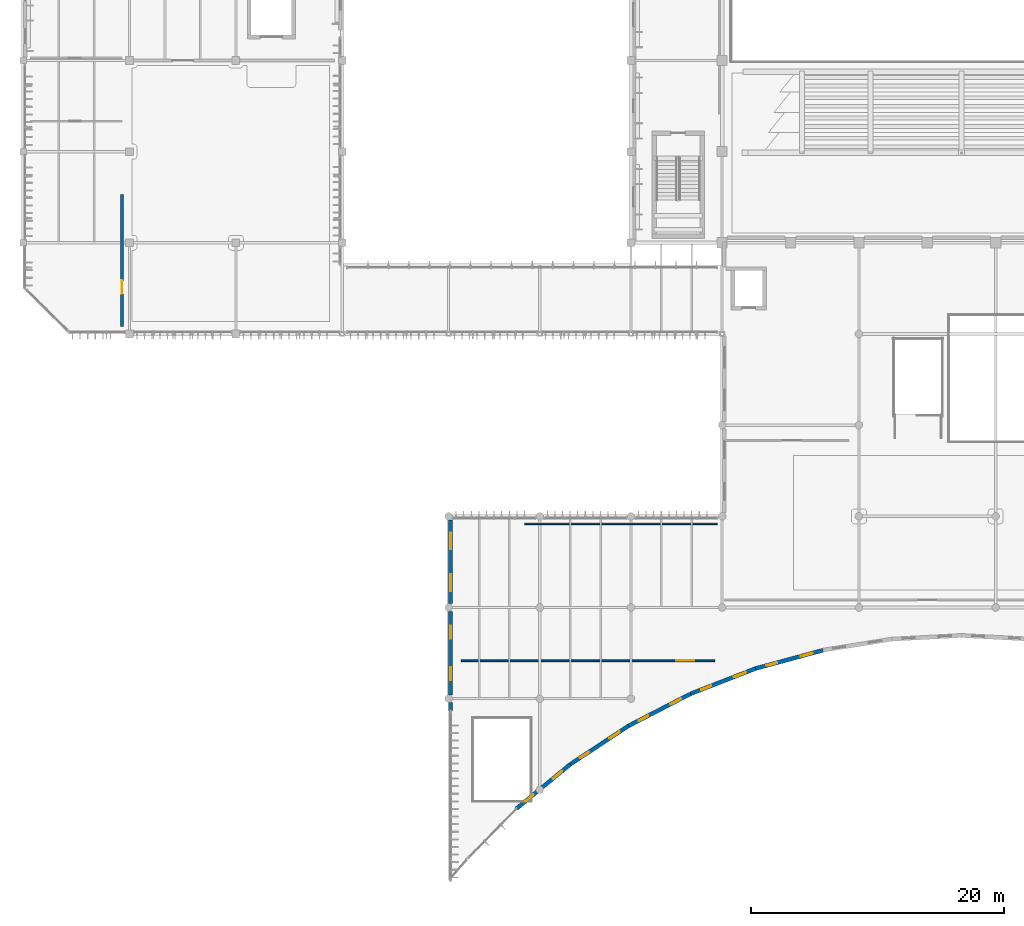
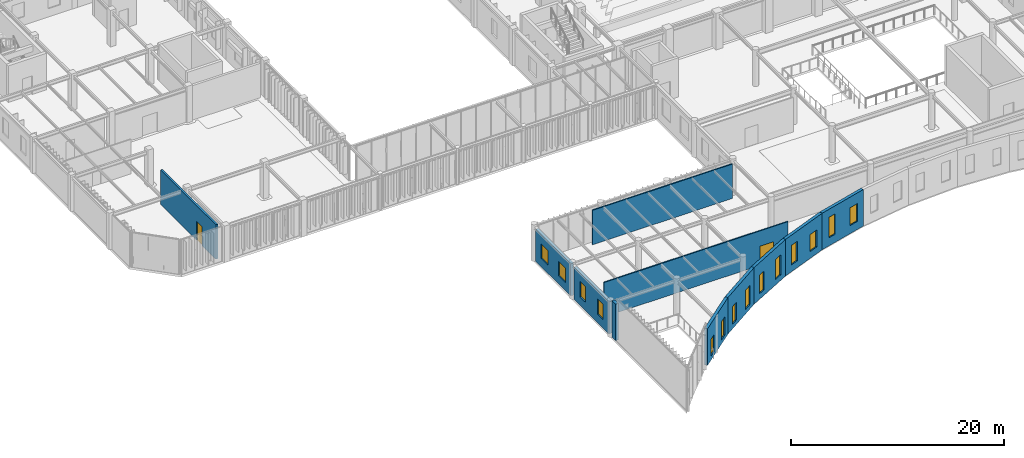
# One storey, part 37 of 104: 14 windows, 11 walls, 2 doors, 16 openings.
"""IFC4 building model written with IfcOpenShell, lengths in metres."""

from ifc_helpers import new_model, si_unit, direction, frame, frame_2d, origin, place, context, subcontext, project, spatial, rectangle, extrude, material, layer, layer_set, type_object, element, fill, save


model = new_model("IFC4")

# Units and contexts
model_context = context("Model", 3, precision=1e-05, world=origin(), true_north=direction((0.0, 1.0)))
body_context = subcontext(model_context, "Body", "Model", "MODEL_VIEW")
ifc_project = project(units=[si_unit("LENGTHUNIT", "METRE"), si_unit("AREAUNIT", "SQUARE_METRE"), si_unit("VOLUMEUNIT", "CUBIC_METRE"), si_unit("PLANEANGLEUNIT", "RADIAN"), si_unit("MASSUNIT", "GRAM", prefix="KILO")], contexts=[model_context])

# Site, building, storey
site_placement = place(None, origin())
site = spatial("IfcSite", under=ifc_project, at=site_placement, CompositionType="ELEMENT")
building_placement = place(site_placement, origin())
building = spatial("IfcBuilding", under=site, at=building_placement, Name="Tazoul Stagehouse", CompositionType="ELEMENT")
storey_placement = place(building_placement, frame((0.0, 0.0, 9.0)))
storey = spatial("IfcBuildingStorey", under=building, at=storey_placement, Name="L02", CompositionType="ELEMENT", Elevation=9.0)

# Wall, openings, windows
ifc_material_1 = material(Name="Ochre Fired Clay Facing Brick Masonry", Category="masonry")
ifc_layer_1 = layer(ifc_material_1, 0.320068359375, Name="Ochre Fired Clay Facing Brick Masonry")
ifc_layer_set_1 = layer_set([ifc_layer_1], Name="Ochre Fired Clay Facing Brick Masonry")
wall_type_1 = type_object("IfcWallType", Name="Concave Crescent Ochre Brick Facade Wall 320", PredefinedType="SOLIDWALL", material=ifc_layer_set_1)
wall_1_placement = place(storey_placement, frame((41.358154296875, 7.11328125, 0.0), z_axis=(0.0, 0.0, 1.0), x_axis=(0.771862443056, 0.635789563456, 0.0)))
wall_1 = element("IfcWall", 1, at=wall_1_placement, inside=storey, type_object=wall_type_1, Name="L02 Wall EW-320 (WALL-V5-L02-C03)", PredefinedType="SOLIDWALL", context=body_context, shape_type="SweptSolid", body=[
    extrude(rectangle(XDim=5.510009765625, YDim=0.320068359375, at=frame_2d((2.7548828125, 0.0))), origin(), (0.0, 0.0, 1.0), 4.199951171875),
])
opening_1_placement = place(wall_1_placement, frame((0.8974609375, 0.0, 0.448486328125)))
opening_1 = element("IfcOpeningElement", 2, at=opening_1_placement, cuts=wall_1, Name="Opening WN-06", PredefinedType="OPENING", context=body_context, shape_type="SweptSolid", body=[
    extrude(rectangle(XDim=0.85009765625, YDim=1.949951171875, at=frame_2d((0.425048828125, 0.97509765625))), frame((0.0, 0.179931640625, 0.0), z_axis=(0.0, -1.0, 0.0), x_axis=(1.0, 0.0, 0.0)), (0.0, 0.0, 1.0), 0.360107421875),
])
opening_2_placement = place(wall_1_placement, frame((3.71240234375, 0.0, 0.448486328125)))
opening_2 = element("IfcOpeningElement", 3, at=opening_2_placement, cuts=wall_1, Name="Opening WN-13", PredefinedType="OPENING", context=body_context, shape_type="SweptSolid", body=[
    extrude(rectangle(XDim=0.949951171875, YDim=2.10009765625, at=frame_2d((0.47509765625, 1.050048828125))), frame((0.0, 0.179931640625, 0.0), z_axis=(0.0, -1.0, 0.0), x_axis=(1.0, 0.0, 0.0)), (0.0, 0.0, 1.0), 0.360107421875),
])
ifc_material_2 = material(Name="Double Low-E Acoustic Laminated Glass", Category="glass")
window_type_1 = type_object("IfcWindowType", Name="Crescent Modulated Slot Window 850x1950", PartitioningType="SINGLE_PANEL", PredefinedType="WINDOW", material=ifc_material_2)
window_1_placement = place(opening_1_placement, origin())
window_1 = element("IfcWindow", 4, at=window_1_placement, inside=storey, type_object=window_type_1, Name="L02 Window WN-06 (WN-V5-L02-C03-1)", OverallHeight=1.949951171875, OverallWidth=0.85009765625, PartitioningType="SINGLE_PANEL", PredefinedType="WINDOW", context=body_context, shape_type="SweptSolid", body=[
    extrude(rectangle(XDim=0.85009765625, YDim=1.949951171875, at=frame_2d((0.425048828125, 0.97509765625))), frame((0.0, 0.030029296875, 0.0), z_axis=(0.0, -1.0, 0.0), x_axis=(1.0, 0.0, 0.0)), (0.0, 0.0, 1.0), 0.06005859375),
])
fill(opening_1, window_1)
window_type_2 = type_object("IfcWindowType", Name="Crescent Modulated Slot Window 950x2100", PartitioningType="SINGLE_PANEL", PredefinedType="WINDOW", material=ifc_material_2)
window_2_placement = place(opening_2_placement, origin())
window_2 = element("IfcWindow", 5, at=window_2_placement, inside=storey, type_object=window_type_2, Name="L02 Window WN-13 (WN-V5-L02-C03-2)", OverallHeight=2.10009765625, OverallWidth=0.949951171875, PartitioningType="SINGLE_PANEL", PredefinedType="WINDOW", context=body_context, shape_type="SweptSolid", body=[
    extrude(rectangle(XDim=0.949951171875, YDim=2.10009765625, at=frame_2d((0.47509765625, 1.050048828125))), frame((0.0, 0.030029296875, 0.0), z_axis=(0.0, -1.0, 0.0), x_axis=(1.0, 0.0, 0.0)), (0.0, 0.0, 1.0), 0.06005859375),
])
fill(opening_2, window_2)

wall_2_placement = place(storey_placement, frame((45.611083984375, 10.616455078125, 0.0), z_axis=(0.0, 0.0, 1.0), x_axis=(0.834787412137, 0.550572408079, 0.0)))
wall_2 = element("IfcWall", 6, at=wall_2_placement, inside=storey, type_object=wall_type_1, Name="L02 Wall EW-320 (WALL-V5-L02-C04)", PredefinedType="SOLIDWALL", context=body_context, shape_type="SweptSolid", body=[
    extrude(rectangle(XDim=5.509521484375, YDim=0.320068359375, at=frame_2d((2.7548828125, 0.0))), origin(), (0.0, 0.0, 1.0), 4.199951171875),
])
opening_3_placement = place(wall_2_placement, frame((0.897216796875, 0.0, 0.51416015625)))
opening_3 = element("IfcOpeningElement", 7, at=opening_3_placement, cuts=wall_2, Name="Opening WN-07", PredefinedType="OPENING", context=body_context, shape_type="SweptSolid", body=[
    extrude(rectangle(XDim=0.85009765625, YDim=2.050048828125, at=frame_2d((0.425048828125, 1.02490234375))), frame((0.0, 0.179931640625, 0.0), z_axis=(0.0, -1.0, 0.0), x_axis=(1.0, 0.0, 0.0)), (0.0, 0.0, 1.0), 0.360107421875),
])
opening_4_placement = place(wall_2_placement, frame((3.71240234375, 0.0, 0.51416015625)))
opening_4 = element("IfcOpeningElement", 8, at=opening_4_placement, cuts=wall_2, Name="Opening WN-14", PredefinedType="OPENING", context=body_context, shape_type="SweptSolid", body=[
    extrude(rectangle(XDim=0.949951171875, YDim=2.199951171875, at=frame_2d((0.47509765625, 1.10009765625))), frame((0.0, 0.179931640625, 0.0), z_axis=(0.0, -1.0, 0.0), x_axis=(1.0, 0.0, 0.0)), (0.0, 0.0, 1.0), 0.360107421875),
])
window_type_3 = type_object("IfcWindowType", Name="Crescent Modulated Slot Window 850x2050", PartitioningType="SINGLE_PANEL", PredefinedType="WINDOW", material=ifc_material_2)
window_3_placement = place(opening_3_placement, origin())
window_3 = element("IfcWindow", 9, at=window_3_placement, inside=storey, type_object=window_type_3, Name="L02 Window WN-07 (WN-V5-L02-C04-1)", OverallHeight=2.050048828125, OverallWidth=0.85009765625, PartitioningType="SINGLE_PANEL", PredefinedType="WINDOW", context=body_context, shape_type="SweptSolid", body=[
    extrude(rectangle(XDim=0.85009765625, YDim=2.050048828125, at=frame_2d((0.425048828125, 1.02490234375))), frame((0.0, 0.030029296875, 0.0), z_axis=(0.0, -1.0, 0.0), x_axis=(1.0, 0.0, 0.0)), (0.0, 0.0, 1.0), 0.06005859375),
])
fill(opening_3, window_3)
window_type_4 = type_object("IfcWindowType", Name="Crescent Modulated Slot Window 950x2200", PartitioningType="SINGLE_PANEL", PredefinedType="WINDOW", material=ifc_material_2)
window_4_placement = place(opening_4_placement, origin())
window_4 = element("IfcWindow", 10, at=window_4_placement, inside=storey, type_object=window_type_4, Name="L02 Window WN-14 (WN-V5-L02-C04-2)", OverallHeight=2.199951171875, OverallWidth=0.949951171875, PartitioningType="SINGLE_PANEL", PredefinedType="WINDOW", context=body_context, shape_type="SweptSolid", body=[
    extrude(rectangle(XDim=0.949951171875, YDim=2.199951171875, at=frame_2d((0.47509765625, 1.10009765625))), frame((0.0, 0.030029296875, 0.0), z_axis=(0.0, -1.0, 0.0), x_axis=(1.0, 0.0, 0.0)), (0.0, 0.0, 1.0), 0.06005859375),
])
fill(opening_4, window_4)

wall_3_placement = place(storey_placement, frame((50.21044921875, 13.64990234375, 0.0), z_axis=(0.0, 0.0, 1.0), x_axis=(0.888365365521, 0.459137209713, 0.0)))
wall_3 = element("IfcWall", 11, at=wall_3_placement, inside=storey, type_object=wall_type_1, Name="L02 Wall EW-320 (WALL-V5-L02-C05)", PredefinedType="SOLIDWALL", context=body_context, shape_type="SweptSolid", body=[
    extrude(rectangle(XDim=5.509765625, YDim=0.320068359375, at=frame_2d((2.7548828125, 0.0))), origin(), (0.0, 0.0, 1.0), 4.199951171875),
])
opening_5_placement = place(wall_3_placement, frame((0.8974609375, 0.0, 0.632568359375)))
opening_5 = element("IfcOpeningElement", 12, at=opening_5_placement, cuts=wall_3, Name="Opening WN-08", PredefinedType="OPENING", context=body_context, shape_type="SweptSolid", body=[
    extrude(rectangle(XDim=0.85009765625, YDim=2.14990234375, at=frame_2d((0.425048828125, 1.074951171875))), frame((0.0, 0.179931640625, 0.0), z_axis=(0.0, -1.0, 0.0), x_axis=(1.0, 0.0, 0.0)), (0.0, 0.0, 1.0), 0.360107421875),
])
opening_6_placement = place(wall_3_placement, frame((3.71240234375, 0.0, 0.632568359375)))
opening_6 = element("IfcOpeningElement", 13, at=opening_6_placement, cuts=wall_3, Name="Opening WN-15", PredefinedType="OPENING", context=body_context, shape_type="SweptSolid", body=[
    extrude(rectangle(XDim=0.949951171875, YDim=2.300048828125, at=frame_2d((0.47509765625, 1.14990234375))), frame((0.0, 0.179931640625, 0.0), z_axis=(0.0, -1.0, 0.0), x_axis=(1.0, 0.0, 0.0)), (0.0, 0.0, 1.0), 0.360107421875),
])
window_type_5 = type_object("IfcWindowType", Name="Crescent Modulated Slot Window 850x2150", PartitioningType="SINGLE_PANEL", PredefinedType="WINDOW", material=ifc_material_2)
window_5_placement = place(opening_5_placement, origin())
window_5 = element("IfcWindow", 14, at=window_5_placement, inside=storey, type_object=window_type_5, Name="L02 Window WN-08 (WN-V5-L02-C05-1)", OverallHeight=2.14990234375, OverallWidth=0.85009765625, PartitioningType="SINGLE_PANEL", PredefinedType="WINDOW", context=body_context, shape_type="SweptSolid", body=[
    extrude(rectangle(XDim=0.85009765625, YDim=2.14990234375, at=frame_2d((0.425048828125, 1.074951171875))), frame((0.0, 0.030029296875, 0.0), z_axis=(0.0, -1.0, 0.0), x_axis=(1.0, 0.0, 0.0)), (0.0, 0.0, 1.0), 0.06005859375),
])
fill(opening_5, window_5)
window_type_6 = type_object("IfcWindowType", Name="Crescent Modulated Slot Window 950x2300", PartitioningType="SINGLE_PANEL", PredefinedType="WINDOW", material=ifc_material_2)
window_6_placement = place(opening_6_placement, origin())
window_6 = element("IfcWindow", 15, at=window_6_placement, inside=storey, type_object=window_type_6, Name="L02 Window WN-15 (WN-V5-L02-C05-2)", OverallHeight=2.300048828125, OverallWidth=0.949951171875, PartitioningType="SINGLE_PANEL", PredefinedType="WINDOW", context=body_context, shape_type="SweptSolid", body=[
    extrude(rectangle(XDim=0.949951171875, YDim=2.300048828125, at=frame_2d((0.47509765625, 1.14990234375))), frame((0.0, 0.030029296875, 0.0), z_axis=(0.0, -1.0, 0.0), x_axis=(1.0, 0.0, 0.0)), (0.0, 0.0, 1.0), 0.06005859375),
])
fill(opening_6, window_6)

wall_4_placement = place(storey_placement, frame((55.105224609375, 16.1796875, 0.0), z_axis=(0.0, 0.0, 1.0), x_axis=(0.931946449517, 0.362595939349, 0.0)))
wall_4 = element("IfcWall", 16, at=wall_4_placement, inside=storey, type_object=wall_type_1, Name="L02 Wall EW-320 (WALL-V5-L02-C06)", PredefinedType="SOLIDWALL", context=body_context, shape_type="SweptSolid", body=[
    extrude(rectangle(XDim=5.509765625, YDim=0.320068359375, at=frame_2d((2.7548828125, 0.0))), origin(), (0.0, 0.0, 1.0), 4.199951171875),
])
opening_7_placement = place(wall_4_placement, frame((0.8974609375, 0.0, 0.780029296875)))
opening_7 = element("IfcOpeningElement", 17, at=opening_7_placement, cuts=wall_4, Name="Opening WN-09", PredefinedType="OPENING", context=body_context, shape_type="SweptSolid", body=[
    extrude(rectangle(XDim=0.85009765625, YDim=2.25, at=frame_2d((0.425048828125, 1.125))), frame((0.0, 0.179931640625, 0.0), z_axis=(0.0, -1.0, 0.0), x_axis=(1.0, 0.0, 0.0)), (0.0, 0.0, 1.0), 0.360107421875),
])
opening_8_placement = place(wall_4_placement, frame((3.6875, 0.0, 0.780029296875)))
opening_8 = element("IfcOpeningElement", 18, at=opening_8_placement, cuts=wall_4, Name="Opening WN-16", PredefinedType="OPENING", context=body_context, shape_type="SweptSolid", body=[
    extrude(rectangle(XDim=1.0, YDim=1.949951171875, at=frame_2d((0.5, 0.97509765625))), frame((0.0, 0.179931640625, 0.0), z_axis=(0.0, -1.0, 0.0), x_axis=(1.0, 0.0, 0.0)), (0.0, 0.0, 1.0), 0.360107421875),
])
window_type_7 = type_object("IfcWindowType", Name="Crescent Modulated Slot Window 1000x1950", PartitioningType="SINGLE_PANEL", PredefinedType="WINDOW", material=ifc_material_2)
window_7_placement = place(opening_8_placement, origin())
window_7 = element("IfcWindow", 19, at=window_7_placement, inside=storey, type_object=window_type_7, Name="L02 Window WN-16 (WN-V5-L02-C06-2)", OverallHeight=1.949951171875, OverallWidth=1.0, PartitioningType="SINGLE_PANEL", PredefinedType="WINDOW", context=body_context, shape_type="SweptSolid", body=[
    extrude(rectangle(XDim=1.0, YDim=1.949951171875, at=frame_2d((0.5, 0.97509765625))), frame((0.0, 0.030029296875, 0.0), z_axis=(0.0, -1.0, 0.0), x_axis=(1.0, 0.0, 0.0)), (0.0, 0.0, 1.0), 0.06005859375),
])
fill(opening_8, window_7)
window_type_8 = type_object("IfcWindowType", Name="Crescent Modulated Slot Window 850x2250", PartitioningType="SINGLE_PANEL", PredefinedType="WINDOW", material=ifc_material_2)
window_8_placement = place(opening_7_placement, origin())
window_8 = element("IfcWindow", 20, at=window_8_placement, inside=storey, type_object=window_type_8, Name="L02 Window WN-09 (WN-V5-L02-C06-1)", OverallHeight=2.25, OverallWidth=0.85009765625, PartitioningType="SINGLE_PANEL", PredefinedType="WINDOW", context=body_context, shape_type="SweptSolid", body=[
    extrude(rectangle(XDim=0.85009765625, YDim=2.25, at=frame_2d((0.425048828125, 1.125))), frame((0.0, 0.030029296875, 0.0), z_axis=(0.0, -1.0, 0.0), x_axis=(1.0, 0.0, 0.0)), (0.0, 0.0, 1.0), 0.06005859375),
])
fill(opening_7, window_8)

wall_5_placement = place(storey_placement, frame((60.239990234375, 18.177490234375, 0.0), z_axis=(0.0, 0.0, 1.0), x_axis=(0.965092315166, 0.261909952479, 0.0)))
wall_5 = element("IfcWall", 21, at=wall_5_placement, inside=storey, type_object=wall_type_1, Name="L02 Wall EW-320 (WALL-V5-L02-C07)", PredefinedType="SOLIDWALL", context=body_context, shape_type="SweptSolid", body=[
    extrude(rectangle(XDim=5.510009765625, YDim=0.320068359375, at=frame_2d((2.7548828125, 0.0))), origin(), (0.0, 0.0, 1.0), 4.199951171875),
])
opening_9_placement = place(wall_5_placement, frame((0.8974609375, 0.0, 0.927490234375)))
opening_9 = element("IfcOpeningElement", 22, at=opening_9_placement, cuts=wall_5, Name="Opening WN-10", PredefinedType="OPENING", context=body_context, shape_type="SweptSolid", body=[
    extrude(rectangle(XDim=0.85009765625, YDim=2.35009765625, at=frame_2d((0.425048828125, 1.175048828125))), frame((0.0, 0.179931640625, 0.0), z_axis=(0.0, -1.0, 0.0), x_axis=(1.0, 0.0, 0.0)), (0.0, 0.0, 1.0), 0.360107421875),
])
opening_10_placement = place(wall_5_placement, frame((3.6875, 0.0, 0.927490234375)))
opening_10 = element("IfcOpeningElement", 23, at=opening_10_placement, cuts=wall_5, Name="Opening WN-17", PredefinedType="OPENING", context=body_context, shape_type="SweptSolid", body=[
    extrude(rectangle(XDim=1.0, YDim=2.050048828125, at=frame_2d((0.5, 1.02490234375))), frame((0.0, 0.179931640625, 0.0), z_axis=(0.0, -1.0, 0.0), x_axis=(1.0, 0.0, 0.0)), (0.0, 0.0, 1.0), 0.360107421875),
])
window_type_9 = type_object("IfcWindowType", Name="Crescent Modulated Slot Window 1000x2050", PartitioningType="SINGLE_PANEL", PredefinedType="WINDOW", material=ifc_material_2)
window_9_placement = place(opening_10_placement, origin())
window_9 = element("IfcWindow", 24, at=window_9_placement, inside=storey, type_object=window_type_9, Name="L02 Window WN-17 (WN-V5-L02-C07-2)", OverallHeight=2.050048828125, OverallWidth=1.0, PartitioningType="SINGLE_PANEL", PredefinedType="WINDOW", context=body_context, shape_type="SweptSolid", body=[
    extrude(rectangle(XDim=1.0, YDim=2.050048828125, at=frame_2d((0.5, 1.02490234375))), frame((0.0, 0.030029296875, 0.0), z_axis=(0.0, -1.0, 0.0), x_axis=(1.0, 0.0, 0.0)), (0.0, 0.0, 1.0), 0.06005859375),
])
fill(opening_10, window_9)
window_type_10 = type_object("IfcWindowType", Name="Crescent Modulated Slot Window 850x2350", PartitioningType="SINGLE_PANEL", PredefinedType="WINDOW", material=ifc_material_2)
window_10_placement = place(opening_9_placement, origin())
window_10 = element("IfcWindow", 25, at=window_10_placement, inside=storey, type_object=window_type_10, Name="L02 Window WN-10 (WN-V5-L02-C07-1)", OverallHeight=2.35009765625, OverallWidth=0.85009765625, PartitioningType="SINGLE_PANEL", PredefinedType="WINDOW", context=body_context, shape_type="SweptSolid", body=[
    extrude(rectangle(XDim=0.85009765625, YDim=2.35009765625, at=frame_2d((0.425048828125, 1.175048828125))), frame((0.0, 0.030029296875, 0.0), z_axis=(0.0, -1.0, 0.0), x_axis=(1.0, 0.0, 0.0)), (0.0, 0.0, 1.0), 0.06005859375),
])
fill(opening_9, window_10)

# Wall
wall_6_placement = place(storey_placement, frame((36.159912109375, 14.820068359375, 0.0), z_axis=(0.0, 0.0, 1.0), x_axis=(0.0, 1.0, 0.0)))
element("IfcWall", 26, at=wall_6_placement, inside=storey, type_object=wall_type_1, Name="L02 Wall EW-320 (WALL-V5-W-L02-S1)", PredefinedType="SOLIDWALL", context=body_context, shape_type="SweptSolid", body=[
    extrude(rectangle(XDim=0.675048828125, YDim=0.320068359375, at=frame_2d((0.33740234375, 0.0))), origin(), (0.0, 0.0, 1.0), 4.199951171875),
])

# Wall, openings, windows
wall_7_placement = place(storey_placement, frame((36.159912109375, 16.10498046875, 0.0), z_axis=(0.0, 0.0, 1.0), x_axis=(0.0, 1.0, 0.0)))
wall_7 = element("IfcWall", 27, at=wall_7_placement, inside=storey, type_object=wall_type_1, Name="L02 Wall EW-320 (WALL-V5-W-L02-S2)", PredefinedType="SOLIDWALL", context=body_context, shape_type="SweptSolid", body=[
    extrude(rectangle(XDim=6.590087890625, YDim=0.320068359375, at=frame_2d((3.294921875, 0.0))), origin(), (0.0, 0.0, 1.0), 3.673095703125),
])
opening_11_placement = place(wall_7_placement, frame((1.137451171875, 0.0, 0.949951171875)))
opening_11 = element("IfcOpeningElement", 28, at=opening_11_placement, cuts=wall_7, Name="Opening WN-62", PredefinedType="OPENING", context=body_context, shape_type="SweptSolid", body=[
    extrude(rectangle(XDim=1.02001953125, YDim=1.800048828125, at=frame_2d((0.510009765625, 0.89990234375))), frame((0.0, 0.179931640625, 0.0), z_axis=(0.0, -1.0, 0.0), x_axis=(1.0, 0.0, 0.0)), (0.0, 0.0, 1.0), 0.360107421875),
])
opening_12_placement = place(wall_7_placement, frame((4.4326171875, 0.0, 0.949951171875)))
opening_12 = element("IfcOpeningElement", 29, at=opening_12_placement, cuts=wall_7, Name="Opening WN-62", PredefinedType="OPENING", context=body_context, shape_type="SweptSolid", body=[
    extrude(rectangle(XDim=1.02001953125, YDim=1.800048828125, at=frame_2d((0.510009765625, 0.89990234375))), frame((0.0, 0.179931640625, 0.0), z_axis=(0.0, -1.0, 0.0), x_axis=(1.0, 0.0, 0.0)), (0.0, 0.0, 1.0), 0.360107421875),
])
window_type_11 = type_object("IfcWindowType", Name="Architectural Acoustic Facade Window 1020x1800", PartitioningType="SINGLE_PANEL", PredefinedType="WINDOW", material=ifc_material_2)
window_11_placement = place(opening_11_placement, origin())
window_11 = element("IfcWindow", 30, at=window_11_placement, inside=storey, type_object=window_type_11, Name="L02 Window WN-62 (WALL-V5-W-L02-S2-W1)", OverallHeight=1.800048828125, OverallWidth=1.02001953125, PartitioningType="SINGLE_PANEL", PredefinedType="WINDOW", context=body_context, shape_type="SweptSolid", body=[
    extrude(rectangle(XDim=1.02001953125, YDim=1.800048828125, at=frame_2d((0.510009765625, 0.89990234375))), frame((0.0, 0.030029296875, 0.0), z_axis=(0.0, -1.0, 0.0), x_axis=(1.0, 0.0, 0.0)), (0.0, 0.0, 1.0), 0.06005859375),
])
fill(opening_11, window_11)
window_12_placement = place(opening_12_placement, origin())
window_12 = element("IfcWindow", 31, at=window_12_placement, inside=storey, type_object=window_type_11, Name="L02 Window WN-62 (WALL-V5-W-L02-S2-W2)", OverallHeight=1.800048828125, OverallWidth=1.02001953125, PartitioningType="SINGLE_PANEL", PredefinedType="WINDOW", context=body_context, shape_type="SweptSolid", body=[
    extrude(rectangle(XDim=1.02001953125, YDim=1.800048828125, at=frame_2d((0.510009765625, 0.89990234375))), frame((0.0, 0.030029296875, 0.0), z_axis=(0.0, -1.0, 0.0), x_axis=(1.0, 0.0, 0.0)), (0.0, 0.0, 1.0), 0.06005859375),
])
fill(opening_12, window_12)

wall_8_placement = place(storey_placement, frame((36.159912109375, 23.304931640625, 0.0), z_axis=(0.0, 0.0, 1.0), x_axis=(0.0, 1.0, 0.0)))
wall_8 = element("IfcWall", 32, at=wall_8_placement, inside=storey, type_object=wall_type_1, Name="L02 Wall EW-320 (WALL-V5-W-L02-S3)", PredefinedType="SOLIDWALL", context=body_context, shape_type="SweptSolid", body=[
    extrude(rectangle(XDim=6.590087890625, YDim=0.320068359375, at=frame_2d((3.294921875, 0.0))), origin(), (0.0, 0.0, 1.0), 3.673095703125),
])
opening_13_placement = place(wall_8_placement, frame((0.987548828125, 0.0, 0.949951171875)))
opening_13 = element("IfcOpeningElement", 33, at=opening_13_placement, cuts=wall_8, Name="Opening WN-47", PredefinedType="OPENING", context=body_context, shape_type="SweptSolid", body=[
    extrude(rectangle(XDim=1.320068359375, YDim=1.64990234375, at=frame_2d((0.66015625, 0.824951171875))), frame((0.0, 0.179931640625, 0.0), z_axis=(0.0, -1.0, 0.0), x_axis=(1.0, 0.0, 0.0)), (0.0, 0.0, 1.0), 0.360107421875),
])
opening_14_placement = place(wall_8_placement, frame((4.282470703125, 0.0, 0.949951171875)))
opening_14 = element("IfcOpeningElement", 34, at=opening_14_placement, cuts=wall_8, Name="Opening WN-47", PredefinedType="OPENING", context=body_context, shape_type="SweptSolid", body=[
    extrude(rectangle(XDim=1.320068359375, YDim=1.64990234375, at=frame_2d((0.66015625, 0.824951171875))), frame((0.0, 0.179931640625, 0.0), z_axis=(0.0, -1.0, 0.0), x_axis=(1.0, 0.0, 0.0)), (0.0, 0.0, 1.0), 0.360107421875),
])
window_type_12 = type_object("IfcWindowType", Name="Architectural Acoustic Facade Window 1320x1650", PartitioningType="SINGLE_PANEL", PredefinedType="WINDOW", material=ifc_material_2)
window_13_placement = place(opening_13_placement, origin())
window_13 = element("IfcWindow", 35, at=window_13_placement, inside=storey, type_object=window_type_12, Name="L02 Window WN-47 (WALL-V5-W-L02-S3-W1)", OverallHeight=1.64990234375, OverallWidth=1.320068359375, PartitioningType="SINGLE_PANEL", PredefinedType="WINDOW", context=body_context, shape_type="SweptSolid", body=[
    extrude(rectangle(XDim=1.320068359375, YDim=1.64990234375, at=frame_2d((0.66015625, 0.824951171875))), frame((0.0, 0.030029296875, 0.0), z_axis=(0.0, -1.0, 0.0), x_axis=(1.0, 0.0, 0.0)), (0.0, 0.0, 1.0), 0.06005859375),
])
fill(opening_13, window_13)
window_14_placement = place(opening_14_placement, origin())
window_14 = element("IfcWindow", 36, at=window_14_placement, inside=storey, type_object=window_type_12, Name="L02 Window WN-47 (WALL-V5-W-L02-S3-W2)", OverallHeight=1.64990234375, OverallWidth=1.320068359375, PartitioningType="SINGLE_PANEL", PredefinedType="WINDOW", context=body_context, shape_type="SweptSolid", body=[
    extrude(rectangle(XDim=1.320068359375, YDim=1.64990234375, at=frame_2d((0.66015625, 0.824951171875))), frame((0.0, 0.030029296875, 0.0), z_axis=(0.0, -1.0, 0.0), x_axis=(1.0, 0.0, 0.0)), (0.0, 0.0, 1.0), 0.06005859375),
])
fill(opening_14, window_14)

# Wall
ifc_material_3 = material(Name="Gypsum Acoustic Partition", Category="gypsum")
ifc_layer_2 = layer(ifc_material_3, 0.1298828125, Name="Gypsum Acoustic Partition")
ifc_layer_set_2 = layer_set([ifc_layer_2], Name="Gypsum Acoustic Partition")
wall_type_2 = type_object("IfcWallType", Name="Office Drywall Partition 130", PredefinedType="PARTITIONING", material=ifc_layer_set_2)
wall_9_placement = place(storey_placement, frame((42.0, 29.60009765625, 0.0), z_axis=(0.0, 0.0, 1.0), x_axis=(1.0, 0.0, 0.0)))
element("IfcWall", 37, at=wall_9_placement, inside=storey, type_object=wall_type_2, Name="L02 Partition PW-130 (PW-RM-L02-059-N)", PredefinedType="PARTITIONING", context=body_context, shape_type="SweptSolid", body=[
    extrude(rectangle(XDim=15.199951171875, YDim=0.1298828125, at=frame_2d((7.60009765625, 0.0))), origin(), (0.0, 0.0, 1.0), 3.9599609375),
])

# Wall, opening, door
wall_10_placement = place(storey_placement, frame((37.0, 18.800048828125, 0.0), z_axis=(0.0, 0.0, 1.0), x_axis=(1.0, 0.0, 0.0)))
wall_10 = element("IfcWall", 38, at=wall_10_placement, inside=storey, type_object=wall_type_2, Name="L02 Partition PW-130 (PW-RM-L02-125-N)", PredefinedType="PARTITIONING", context=body_context, shape_type="SweptSolid", body=[
    extrude(rectangle(XDim=20.0, YDim=0.1298828125, at=frame_2d((10.0, 0.0))), origin(), (0.0, 0.0, 1.0), 3.9599609375),
])
opening_15_placement = place(wall_10_placement, frame((16.96044921875, 0.0, 0.0)))
opening_15 = element("IfcOpeningElement", 39, at=opening_15_placement, cuts=wall_10, Name="Opening ID-21", PredefinedType="OPENING", context=body_context, shape_type="SweptSolid", body=[
    extrude(rectangle(XDim=1.449951171875, YDim=2.199951171875, at=frame_2d((0.72509765625, 1.10009765625))), frame((0.0, 0.0849609375, 0.0), z_axis=(0.0, -1.0, 0.0), x_axis=(1.0, 0.0, 0.0)), (0.0, 0.0, 1.0), 0.169921875),
])
ifc_material_4 = material(Name="Acoustic Cedar Timber", Category="wood")
door_type_1 = type_object("IfcDoorType", Name="Press Conference Double Door 1450x2200", OperationType="DOUBLE_DOOR_SINGLE_SWING", PredefinedType="DOOR", material=ifc_material_4)
door_1_placement = place(opening_15_placement, origin())
door_1 = element("IfcDoor", 40, at=door_1_placement, inside=storey, type_object=door_type_1, Name="L02 Crescent West Poster Archive Salon Door", OperationType="DOUBLE_DOOR_SINGLE_SWING", OverallHeight=2.199951171875, OverallWidth=1.449951171875, PredefinedType="DOOR", context=body_context, shape_type="SweptSolid", body=[
    extrude(rectangle(XDim=1.449951171875, YDim=2.199951171875, at=frame_2d((0.72509765625, 1.10009765625))), frame((0.0, 0.02490234375, 0.0), z_axis=(0.0, -1.0, 0.0), x_axis=(1.0, 0.0, 0.0)), (0.0, 0.0, 1.0), 0.050048828125),
])
fill(opening_15, door_1)

ifc_layer_3 = layer(ifc_material_3, 0.2099609375, Name="Gypsum Acoustic Partition")
ifc_layer_set_3 = layer_set([ifc_layer_3], Name="Gypsum Acoustic Partition")
wall_type_3 = type_object("IfcWallType", Name="Rehearsal Room Acoustic Partition 210", PredefinedType="PARTITIONING", material=ifc_layer_set_3)
wall_11_placement = place(storey_placement, frame((10.199951171875, 55.60009765625, 0.0), z_axis=(0.0, 0.0, 1.0), x_axis=(0.0, -1.0, 0.0)))
wall_11 = element("IfcWall", 41, at=wall_11_placement, inside=storey, type_object=wall_type_3, Name="L02 Partition PW-210 (PW-RM-L02-067-E)", PredefinedType="PARTITIONING", context=body_context, shape_type="SweptSolid", body=[
    extrude(rectangle(XDim=10.400146484375, YDim=0.2099609375, at=frame_2d((5.2001953125, 0.0))), origin(), (0.0, 0.0, 1.0), 3.969970703125),
])
opening_16_placement = place(wall_11_placement, frame((6.775634765625, 0.0, 0.0)))
opening_16 = element("IfcOpeningElement", 42, at=opening_16_placement, cuts=wall_11, Name="Opening ID-07", PredefinedType="OPENING", context=body_context, shape_type="SweptSolid", body=[
    extrude(rectangle(XDim=1.050048828125, YDim=2.14990234375, at=frame_2d((0.52490234375, 1.074951171875))), frame((0.0, 0.125, 0.0), z_axis=(0.0, -1.0, 0.0), x_axis=(1.0, 0.0, 0.0)), (0.0, 0.0, 1.0), 0.25),
])
door_type_2 = type_object("IfcDoorType", Name="Control Room Sound-Lock Door 1050x2150", OperationType="NOTDEFINED", PredefinedType="DOOR", material=ifc_material_4)
door_2_placement = place(opening_16_placement, origin())
door_2 = element("IfcDoor", 43, at=door_2_placement, inside=storey, type_object=door_type_2, Name="L02 Black-Box Sound and Dimmer Booth Door", OperationType="SINGLE_SWING_RIGHT", OverallHeight=2.14990234375, OverallWidth=1.050048828125, PredefinedType="DOOR", context=body_context, shape_type="SweptSolid", body=[
    extrude(rectangle(XDim=1.050048828125, YDim=2.14990234375, at=frame_2d((0.52490234375, 1.074951171875))), frame((0.0, 0.02490234375, 0.0), z_axis=(0.0, -1.0, 0.0), x_axis=(1.0, 0.0, 0.0)), (0.0, 0.0, 1.0), 0.050048828125),
])
fill(opening_16, door_2)

save(model, "model.ifc")
